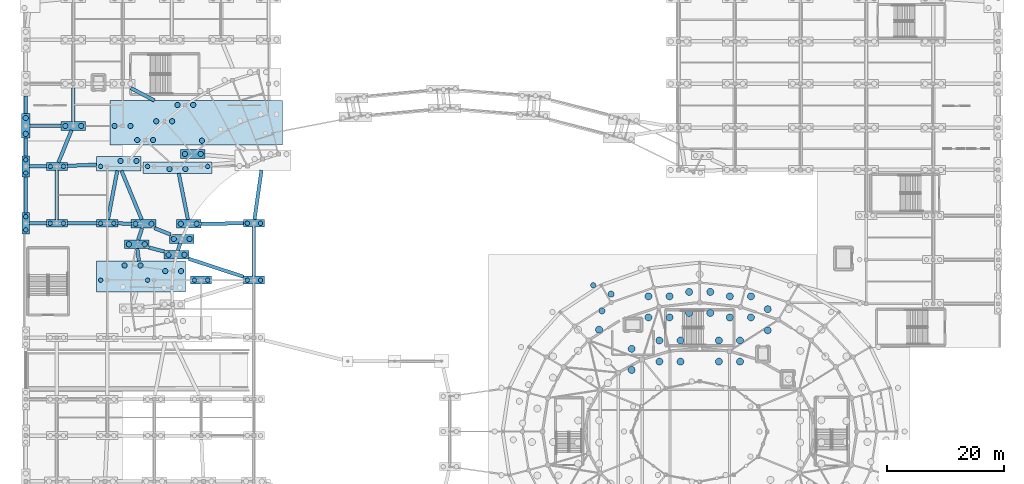
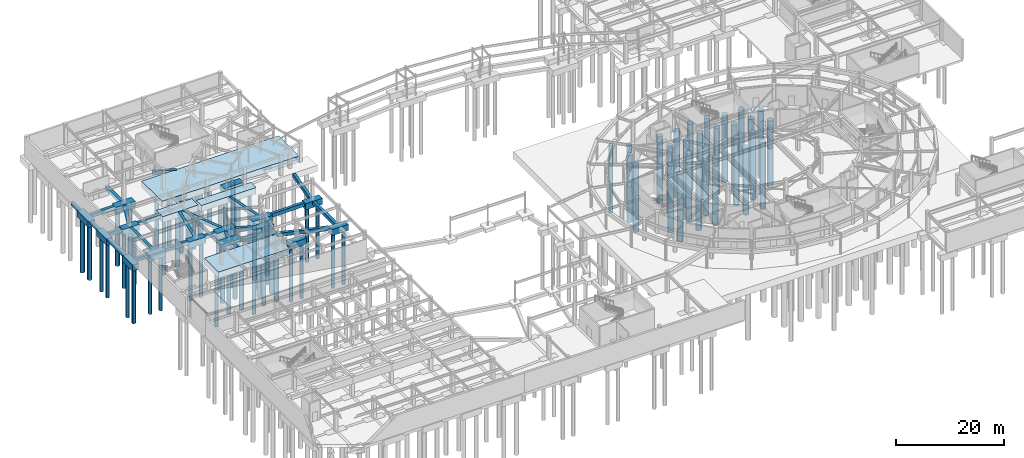
# One storey, part 4 of 68: 82 piles, 45 footings.
"""IFC4 building model written with IfcOpenShell, lengths in metres."""

from ifc_helpers import new_model, si_unit, direction, frame, origin, origin_2d, place, context, subcontext, project, spatial, rectangle, circle, extrude, material, layer, layer_set, material_profile, profile_set, type_object, element, save


model = new_model("IFC4")

# Units and contexts
model_context = context("Model", 3, precision=1e-05, world=origin(), true_north=direction((0.0, 1.0)))
body_context = subcontext(model_context, "Body", "Model", "MODEL_VIEW")
ifc_project = project(units=[si_unit("LENGTHUNIT", "METRE"), si_unit("AREAUNIT", "SQUARE_METRE"), si_unit("VOLUMEUNIT", "CUBIC_METRE"), si_unit("PLANEANGLEUNIT", "RADIAN"), si_unit("MASSUNIT", "GRAM", prefix="KILO")], contexts=[model_context])

# Site, building, storey
site_placement = place(None, origin())
site = spatial("IfcSite", under=ifc_project, at=site_placement, CompositionType="ELEMENT")
building_placement = place(site_placement, origin())
building = spatial("IfcBuilding", under=site, at=building_placement, Name="Cinderbank Siding Concert Hall", CompositionType="ELEMENT")
storey_placement = place(building_placement, frame((0.0, 0.0, -4.800048828125)))
storey = spatial("IfcBuildingStorey", under=building, at=storey_placement, Name="B1", CompositionType="ELEMENT", Elevation=-4.800048828125)

# Piles
ifc_material = material(Name="Reinforced concrete AS 3600 N40 (40 MPa)", Category="concrete")
ifc_material_profile_1 = material_profile(ifc_material, circle(Radius=0.52490234375, at=origin_2d()), Name="PILE-1050DIA", Category="LoadBearing")
ifc_profile_set_1 = profile_set([ifc_material_profile_1], Name="Reinforced concrete AS 3600 N40 (40 MPa)")
pile_type_1 = type_object("IfcPileType", Name="BP-1050 Bored Pile 1050mm", PredefinedType="BORED", material=ifc_profile_set_1)
for number, where, z_axis, x_axis, name in (
    (1, (105.324951171875, 64.5791015625, -1.5), (0.0, 0.0, -1.0), (1.0, 0.0, 0.0), "Bored Pile BP-1050 #78"),
    (2, (106.89990234375, 67.4150390625, -1.5), (0.0, 0.0, -1.0), (1.0, 0.0, 0.0), "Bored Pile BP-1050 #79"),
):
    element("IfcPile", number, at=place(storey_placement, frame(where, z_axis=z_axis, x_axis=x_axis)), inside=storey, type_object=pile_type_1, Name=name, PredefinedType="BORED", context=body_context, shape_type="SweptSolid", body=[
        extrude(circle(Radius=0.52490234375, at=origin_2d()), origin(), (0.0, 0.0, 1.0), 15.199951171875),
    ])
ifc_material_profile_2 = material_profile(ifc_material, circle(Radius=0.60009765625, at=origin_2d()), Name="PILE-1200DIA", Category="LoadBearing")
ifc_profile_set_2 = profile_set([ifc_material_profile_2], Name="Reinforced concrete AS 3600 N40 (40 MPa)")
pile_type_2 = type_object("IfcPileType", Name="BP-1200 Bored Pile 1200mm", PredefinedType="BORED", material=ifc_profile_set_2)
for number, where, z_axis, x_axis, name in (
    (3, (133.60009765625, 61.2529296875, -1.5), (0.0, 0.0, -1.0), (1.0, 0.0, 0.0), "Bored Pile BP-1200 #24"),
    (4, (133.60009765625, 64.85302734375, -1.5), (0.0, 0.0, -1.0), (1.0, 0.0, 0.0), "Bored Pile BP-1200 #25"),
    (5, (127.135986328125, 63.449951171875, -1.5), (0.0, 0.0, -1.0), (1.0, 0.0, 0.0), "Bored Pile BP-1200 #53"),
    (6, (130.736083984375, 63.449951171875, -1.5), (0.0, 0.0, -1.0), (1.0, 0.0, 0.0), "Bored Pile BP-1200 #54"),
    (7, (127.135986328125, 67.050048828125, -1.5), (0.0, 0.0, -1.0), (1.0, 0.0, 0.0), "Bored Pile BP-1200 #55"),
    (8, (130.736083984375, 67.050048828125, -1.5), (0.0, 0.0, -1.0), (1.0, 0.0, 0.0), "Bored Pile BP-1200 #56"),
    (9, (125.27294921875, 55.916015625, -1.5), (0.0, 0.0, -1.0), (1.0, 0.0, 0.0), "Bored Pile BP-1200 #57"),
    (10, (128.873046875, 55.916015625, -1.5), (0.0, 0.0, -1.0), (1.0, 0.0, 0.0), "Bored Pile BP-1200 #58"),
    (11, (125.27294921875, 59.51611328125, -1.5), (0.0, 0.0, -1.0), (1.0, 0.0, 0.0), "Bored Pile BP-1200 #59"),
    (12, (128.873046875, 59.51611328125, -1.5), (0.0, 0.0, -1.0), (1.0, 0.0, 0.0), "Bored Pile BP-1200 #60"),
    (13, (120.199951171875, 64.199951171875, -1.5), (0.0, 0.0, -1.0), (1.0, 0.0, 0.0), "Bored Pile BP-1200 #62"),
    (14, (123.800048828125, 64.199951171875, -1.5), (0.0, 0.0, -1.0), (1.0, 0.0, 0.0), "Bored Pile BP-1200 #63"),
    (15, (120.199951171875, 67.800048828125, -1.5), (0.0, 0.0, -1.0), (1.0, 0.0, 0.0), "Bored Pile BP-1200 #64"),
    (16, (123.800048828125, 67.800048828125, -1.5), (0.0, 0.0, -1.0), (1.0, 0.0, 0.0), "Bored Pile BP-1200 #65"),
    (17, (115.126953125, 55.916015625, -1.5), (0.0, 0.0, -1.0), (1.0, 0.0, 0.0), "Bored Pile BP-1200 #67"),
    (18, (118.72705078125, 55.916015625, -1.5), (0.0, 0.0, -1.0), (1.0, 0.0, 0.0), "Bored Pile BP-1200 #68"),
    (19, (115.126953125, 59.51611328125, -1.5), (0.0, 0.0, -1.0), (1.0, 0.0, 0.0), "Bored Pile BP-1200 #69"),
    (20, (118.72705078125, 59.51611328125, -1.5), (0.0, 0.0, -1.0), (1.0, 0.0, 0.0), "Bored Pile BP-1200 #70"),
    (21, (113.263916015625, 63.449951171875, -1.5), (0.0, 0.0, -1.0), (1.0, 0.0, 0.0), "Bored Pile BP-1200 #71"),
    (22, (116.864013671875, 63.449951171875, -1.5), (0.0, 0.0, -1.0), (1.0, 0.0, 0.0), "Bored Pile BP-1200 #72"),
    (23, (113.263916015625, 67.050048828125, -1.5), (0.0, 0.0, -1.0), (1.0, 0.0, 0.0), "Bored Pile BP-1200 #73"),
    (24, (116.864013671875, 67.050048828125, -1.5), (0.0, 0.0, -1.0), (1.0, 0.0, 0.0), "Bored Pile BP-1200 #74"),
    (25, (110.39990234375, 54.498046875, -1.5), (0.0, 0.0, -1.0), (1.0, 0.0, 0.0), "Bored Pile BP-1200 #76"),
    (26, (110.39990234375, 58.097900390625, -1.5), (0.0, 0.0, -1.0), (1.0, 0.0, 0.0), "Bored Pile BP-1200 #77"),
    (27, (104.84912109375, 61.35595703125, -1.5), (0.0, 0.0, -1.0), (1.0, 0.0, 0.0), "Bored Pile BP-1200 #85"),
):
    element("IfcPile", number, at=place(storey_placement, frame(where, z_axis=z_axis, x_axis=x_axis)), inside=storey, type_object=pile_type_2, Name=name, PredefinedType="BORED", context=body_context, shape_type="SweptSolid", body=[
        extrude(circle(Radius=0.60009765625, at=origin_2d()), origin(), (0.0, 0.0, 1.0), 15.199951171875),
    ])
ifc_material_profile_3 = material_profile(ifc_material, circle(Radius=0.375, at=origin_2d()), Name="PILE-750DIA", Category="LoadBearing")
ifc_profile_set_3 = profile_set([ifc_material_profile_3], Name="Reinforced concrete AS 3600 N40 (40 MPa)")
pile_type_3 = type_object("IfcPileType", Name="BP-750 Bored Pile 750mm", PredefinedType="BORED", material=ifc_profile_set_3)
for number, where, z_axis, x_axis, name in (
    (28, (27.875, 89.199951171875, -1.300048828125), (0.0, 0.0, -1.0), (1.0, 0.0, 0.0), "Bored Pile BP-750 #187"),
    (29, (38.125, 89.199951171875, -1.300048828125), (0.0, 0.0, -1.0), (1.0, 0.0, 0.0), "Bored Pile BP-750 #188"),
    (30, (19.875, 89.199951171875, -1.300048828125), (0.0, 0.0, -1.0), (1.0, 0.0, 0.0), "Bored Pile BP-750 #191"),
    (31, (27.875, 69.800048828125, -1.300048828125), (0.0, 0.0, -1.0), (1.0, 0.0, 0.0), "Bored Pile BP-750 #204"),
    (32, (19.875, 69.800048828125, -1.300048828125), (0.0, 0.0, -1.0), (1.0, 0.0, 0.0), "Bored Pile BP-750 #210"),
    (33, (7.10009765625, 78.375, -1.300048828125), (0.0, 0.0, -1.0), (1.0, 0.0, 0.0), "Bored Pile BP-750 #437"),
    (34, (7.10009765625, 80.625, -1.300048828125), (0.0, 0.0, -1.0), (1.0, 0.0, 0.0), "Bored Pile BP-750 #438"),
    (35, (7.10009765625, 88.074951171875, -1.300048828125), (0.0, 0.0, -1.0), (1.0, 0.0, 0.0), "Bored Pile BP-750 #439"),
    (36, (7.10009765625, 90.324951171875, -1.300048828125), (0.0, 0.0, -1.0), (1.0, 0.0, 0.0), "Bored Pile BP-750 #440"),
    (37, (11.27490234375, 79.5, -1.300048828125), (0.0, 0.0, -1.0), (1.0, 0.0, 0.0), "Bored Pile BP-750 #447"),
    (38, (13.52490234375, 79.5, -1.300048828125), (0.0, 0.0, -1.0), (1.0, 0.0, 0.0), "Bored Pile BP-750 #448"),
    (39, (11.27490234375, 89.199951171875, -1.300048828125), (0.0, 0.0, -1.0), (1.0, 0.0, 0.0), "Bored Pile BP-750 #449"),
    (40, (13.52490234375, 89.199951171875, -1.300048828125), (0.0, 0.0, -1.0), (1.0, 0.0, 0.0), "Bored Pile BP-750 #450"),
    (41, (19.875, 79.5, -1.300048828125), (0.0, 0.0, -1.0), (1.0, 0.0, 0.0), "Bored Pile BP-750 #457"),
    (42, (22.125, 79.5, -1.300048828125), (0.0, 0.0, -1.0), (1.0, 0.0, 0.0), "Bored Pile BP-750 #458"),
    (43, (35.875, 69.800048828125, -1.300048828125), (0.0, 0.0, -1.0), (1.0, 0.0, 0.0), "Bored Pile BP-750 #467"),
    (44, (38.125, 69.800048828125, -1.300048828125), (0.0, 0.0, -1.0), (1.0, 0.0, 0.0), "Bored Pile BP-750 #468"),
    (45, (44.875, 69.800048828125, -1.300048828125), (0.0, 0.0, -1.0), (1.0, 0.0, 0.0), "Bored Pile BP-750 #475"),
    (46, (47.125, 69.800048828125, -1.300048828125), (0.0, 0.0, -1.0), (1.0, 0.0, 0.0), "Bored Pile BP-750 #476"),
    (47, (44.875, 79.5, -1.300048828125), (0.0, 0.0, -1.0), (1.0, 0.0, 0.0), "Bored Pile BP-750 #477"),
    (48, (47.125, 79.5, -1.300048828125), (0.0, 0.0, -1.0), (1.0, 0.0, 0.0), "Bored Pile BP-750 #478"),
):
    element("IfcPile", number, at=place(storey_placement, frame(where, z_axis=z_axis, x_axis=x_axis)), inside=storey, type_object=pile_type_3, Name=name, PredefinedType="BORED", context=body_context, shape_type="SweptSolid", body=[
        extrude(circle(Radius=0.375, at=origin_2d()), origin(), (0.0, 0.0, 1.0), 12.39990234375),
    ])
ifc_material_profile_4 = material_profile(ifc_material, circle(Radius=0.449951171875, at=origin_2d()), Name="PILE-900DIA", Category="LoadBearing")
ifc_profile_set_4 = profile_set([ifc_material_profile_4], Name="Reinforced concrete AS 3600 N40 (40 MPa)")
pile_type_4 = type_object("IfcPileType", Name="BP-900 Bored Pile 900mm", PredefinedType="BORED", material=ifc_profile_set_4)
pile_placement = place(storey_placement, frame((103.85009765625, 68.94189453125, -1.5), z_axis=(0.0, 0.0, -1.0), x_axis=(1.0, 0.0, 0.0)))
element("IfcPile", 49, at=pile_placement, inside=storey, type_object=pile_type_4, Name="Bored Pile BP-900 #80", PredefinedType="BORED", context=body_context, shape_type="SweptSolid", body=[
    extrude(circle(Radius=0.449951171875, at=origin_2d()), origin(), (0.0, 0.0, 1.0), 15.199951171875),
])
for number, where, z_axis, x_axis, name in (
    (50, (37.135986328125, 93.5791015625, -1.300048828125), (0.0, 0.0, -1.0), (1.0, 0.0, 0.0), "Bored Pile BP-900 #169"),
    (51, (32.955078125, 99.68408203125, -1.300048828125), (0.0, 0.0, -1.0), (1.0, 0.0, 0.0), "Bored Pile BP-900 #170"),
    (52, (35.655029296875, 99.68408203125, -1.300048828125), (0.0, 0.0, -1.0), (1.0, 0.0, 0.0), "Bored Pile BP-900 #171"),
    (53, (29.35595703125, 96.89306640625, -1.300048828125), (0.0, 0.0, -1.0), (1.0, 0.0, 0.0), "Bored Pile BP-900 #172"),
    (54, (32.055908203125, 96.89306640625, -1.300048828125), (0.0, 0.0, -1.0), (1.0, 0.0, 0.0), "Bored Pile BP-900 #173"),
    (55, (26.113037109375, 93.695068359375, -1.300048828125), (0.0, 0.0, -1.0), (1.0, 0.0, 0.0), "Bored Pile BP-900 #174"),
    (56, (28.81298828125, 93.695068359375, -1.300048828125), (0.0, 0.0, -1.0), (1.0, 0.0, 0.0), "Bored Pile BP-900 #175"),
    (57, (22.25, 96.10009765625, -1.300048828125), (0.0, 0.0, -1.0), (1.0, 0.0, 0.0), "Bored Pile BP-900 #176"),
    (58, (24.949951171875, 96.10009765625, -1.300048828125), (0.0, 0.0, -1.0), (1.0, 0.0, 0.0), "Bored Pile BP-900 #177"),
    (59, (34.23095703125, 91.324951171875, -1.300048828125), (0.0, 0.0, -1.0), (1.0, 0.0, 0.0), "Bored Pile BP-900 #183"),
    (60, (36.930908203125, 91.324951171875, -1.300048828125), (0.0, 0.0, -1.0), (1.0, 0.0, 0.0), "Bored Pile BP-900 #184"),
    (61, (31.612060546875, 88.742919921875, -1.300048828125), (0.0, 0.0, -1.0), (1.0, 0.0, 0.0), "Bored Pile BP-900 #185"),
    (62, (34.31201171875, 88.742919921875, -1.300048828125), (0.0, 0.0, -1.0), (1.0, 0.0, 0.0), "Bored Pile BP-900 #186"),
    (63, (23.27197265625, 90.135009765625, -1.300048828125), (0.0, 0.0, -1.0), (1.0, 0.0, 0.0), "Bored Pile BP-900 #189"),
    (64, (25.971923828125, 90.135009765625, -1.300048828125), (0.0, 0.0, -1.0), (1.0, 0.0, 0.0), "Bored Pile BP-900 #190"),
    (65, (33.5380859375, 79.4150390625, -1.300048828125), (0.0, 0.0, -1.0), (1.0, 0.0, 0.0), "Bored Pile BP-900 #192"),
    (66, (36.238037109375, 79.4150390625, -1.300048828125), (0.0, 0.0, -1.0), (1.0, 0.0, 0.0), "Bored Pile BP-900 #193"),
    (67, (32.3349609375, 76.8349609375, -1.300048828125), (0.0, 0.0, -1.0), (1.0, 0.0, 0.0), "Bored Pile BP-900 #194"),
    (68, (35.034912109375, 76.8349609375, -1.300048828125), (0.0, 0.0, -1.0), (1.0, 0.0, 0.0), "Bored Pile BP-900 #195"),
    (69, (25.826904296875, 79.412109375, -1.300048828125), (0.0, 0.0, -1.0), (1.0, 0.0, 0.0), "Bored Pile BP-900 #196"),
    (70, (28.527099609375, 79.412109375, -1.300048828125), (0.0, 0.0, -1.0), (1.0, 0.0, 0.0), "Bored Pile BP-900 #197"),
    (71, (31.446044921875, 74.131103515625, -1.300048828125), (0.0, 0.0, -1.0), (1.0, 0.0, 0.0), "Bored Pile BP-900 #198"),
    (72, (34.14599609375, 74.131103515625, -1.300048828125), (0.0, 0.0, -1.0), (1.0, 0.0, 0.0), "Bored Pile BP-900 #199"),
    (73, (24.678955078125, 75.9189453125, -1.300048828125), (0.0, 0.0, -1.0), (1.0, 0.0, 0.0), "Bored Pile BP-900 #200"),
    (74, (27.37890625, 75.9189453125, -1.300048828125), (0.0, 0.0, -1.0), (1.0, 0.0, 0.0), "Bored Pile BP-900 #201"),
    (75, (30.884033203125, 71.340087890625, -1.300048828125), (0.0, 0.0, -1.0), (1.0, 0.0, 0.0), "Bored Pile BP-900 #202"),
    (76, (33.583984375, 71.340087890625, -1.300048828125), (0.0, 0.0, -1.0), (1.0, 0.0, 0.0), "Bored Pile BP-900 #203"),
    (77, (23.951904296875, 72.31396484375, -1.300048828125), (0.0, 0.0, -1.0), (1.0, 0.0, 0.0), "Bored Pile BP-900 #205"),
    (78, (26.652099609375, 72.31396484375, -1.300048828125), (0.0, 0.0, -1.0), (1.0, 0.0, 0.0), "Bored Pile BP-900 #206"),
    (79, (7.10009765625, 94.75, -1.300048828125), (0.0, 0.0, -1.0), (1.0, 0.0, 0.0), "Bored Pile BP-900 #343"),
    (80, (7.10009765625, 97.449951171875, -1.300048828125), (0.0, 0.0, -1.0), (1.0, 0.0, 0.0), "Bored Pile BP-900 #344"),
    (81, (13.85009765625, 96.10009765625, -1.300048828125), (0.0, 0.0, -1.0), (1.0, 0.0, 0.0), "Bored Pile BP-900 #351"),
    (82, (16.550048828125, 96.10009765625, -1.300048828125), (0.0, 0.0, -1.0), (1.0, 0.0, 0.0), "Bored Pile BP-900 #352"),
):
    element("IfcPile", number, at=place(storey_placement, frame(where, z_axis=z_axis, x_axis=x_axis)), inside=storey, type_object=pile_type_4, Name=name, PredefinedType="BORED", context=body_context, shape_type="SweptSolid", body=[
        extrude(circle(Radius=0.449951171875, at=origin_2d()), origin(), (0.0, 0.0, 1.0), 12.39990234375),
    ])

# Footings
ifc_material_profile_5 = material_profile(ifc_material, rectangle(XDim=0.60009765625, YDim=0.800048828125, at=origin_2d()), Name="RC-FB-600x800", Category="LoadBearing")
ifc_profile_set_5 = profile_set([ifc_material_profile_5], Name="Reinforced concrete AS 3600 N40 (40 MPa)")
footing_type_1 = type_object("IfcFootingType", Name="FB-01 Tie Beam 600x800", PredefinedType="FOOTING_BEAM", material=ifc_profile_set_5)
footing_1_placement = place(storey_placement, frame((36.972900390625, 79.430908203125, -0.39990234375), z_axis=(0.999970721878, 0.0076521492, 0.0), x_axis=(-0.0076521492, 0.999970721878, 0.0)))
element("IfcFooting", 83, at=footing_1_placement, inside=storey, type_object=footing_type_1, Name="Foundation Tie Beam #5", PredefinedType="FOOTING_BEAM", context=body_context, shape_type="SweptSolid", body=[
    extrude(rectangle(XDim=0.60009765625, YDim=0.800048828125, at=origin_2d()), origin(), (0.0, 0.0, 1.0), 7.242431640625),
])
footing_2_placement = place(storey_placement, frame((34.74267578125, 80.150390625, -0.39990234375), z_axis=(-0.193805976521, 0.981039878631, 0.0), x_axis=(-0.981039878631, -0.193805976521, 0.0)))
element("IfcFooting", 84, at=footing_2_placement, inside=storey, type_object=footing_type_1, Name="Foundation Tie Beam #6", PredefinedType="FOOTING_BEAM", context=body_context, shape_type="SweptSolid", body=[
    extrude(rectangle(XDim=0.60009765625, YDim=0.800048828125, at=origin_2d()), origin(), (0.0, 0.0, 1.0), 8.00927734375),
])
footing_3_placement = place(storey_placement, frame((29.05712890625, 78.66748046875, -0.39990234375), z_axis=(0.929781285247, -0.368112430658, 0.0), x_axis=(0.368112430658, 0.929781285247, 0.0)))
element("IfcFooting", 85, at=footing_3_placement, inside=storey, type_object=footing_type_1, Name="Foundation Tie Beam #7", PredefinedType="FOOTING_BEAM", context=body_context, shape_type="SweptSolid", body=[
    extrude(rectangle(XDim=0.60009765625, YDim=0.800048828125, at=origin_2d()), origin(), (0.0, 0.0, 1.0), 2.955322265625),
])
footing_4_placement = place(storey_placement, frame((26.87158203125, 80.148193359375, -0.39990234375), z_axis=(-0.383110969798, 0.923702324789, 0.0), x_axis=(-0.923702324789, -0.383110969798, 0.0)))
element("IfcFooting", 86, at=footing_4_placement, inside=storey, type_object=footing_type_1, Name="Foundation Tie Beam #8", PredefinedType="FOOTING_BEAM", context=body_context, shape_type="SweptSolid", body=[
    extrude(rectangle(XDim=0.60009765625, YDim=0.800048828125, at=origin_2d()), origin(), (0.0, 0.0, 1.0), 9.00244140625),
])
footing_5_placement = place(storey_placement, frame((34.881591796875, 73.447021484375, -0.39990234375), z_axis=(0.950188638119, -0.311675395228, 0.0), x_axis=(0.311675395228, 0.950188638119, 0.0)))
element("IfcFooting", 87, at=footing_5_placement, inside=storey, type_object=footing_type_1, Name="Foundation Tie Beam #9", PredefinedType="FOOTING_BEAM", context=body_context, shape_type="SweptSolid", body=[
    extrude(rectangle(XDim=0.60009765625, YDim=0.800048828125, at=origin_2d()), origin(), (0.0, 0.0, 1.0), 9.822021484375),
])
footing_6_placement = place(storey_placement, frame((33.037841796875, 74.86669921875, -0.39990234375), z_axis=(0.312386213758, 0.949955184971, 0.0), x_axis=(-0.949955184971, 0.312386213758, 0.0)))
element("IfcFooting", 88, at=footing_6_placement, inside=storey, type_object=footing_type_1, Name="Foundation Tie Beam #10", PredefinedType="FOOTING_BEAM", context=body_context, shape_type="SweptSolid", body=[
    extrude(rectangle(XDim=0.60009765625, YDim=0.800048828125, at=origin_2d()), origin(), (0.0, 0.0, 1.0), 1.29736328125),
])
footing_7_placement = place(storey_placement, frame((28.114501953125, 75.367919921875, -0.39990234375), z_axis=(0.966809010391, -0.25550017109, 0.0), x_axis=(0.25550017109, 0.966809010391, 0.0)))
element("IfcFooting", 89, at=footing_7_placement, inside=storey, type_object=footing_type_1, Name="Foundation Tie Beam #11", PredefinedType="FOOTING_BEAM", context=body_context, shape_type="SweptSolid", body=[
    extrude(rectangle(XDim=0.60009765625, YDim=0.800048828125, at=origin_2d()), origin(), (0.0, 0.0, 1.0), 2.68505859375),
])
footing_8_placement = place(storey_placement, frame((26.270751953125, 76.65478515625, -0.39990234375), z_axis=(0.31230121774, 0.949983131112, 0.0), x_axis=(-0.949983131112, 0.31230121774, 0.0)))
element("IfcFooting", 90, at=footing_8_placement, inside=storey, type_object=footing_type_1, Name="Foundation Tie Beam #12", PredefinedType="FOOTING_BEAM", context=body_context, shape_type="SweptSolid", body=[
    extrude(rectangle(XDim=0.60009765625, YDim=0.800048828125, at=origin_2d()), origin(), (0.0, 0.0, 1.0), 2.1279296875),
])
footing_9_placement = place(storey_placement, frame((26.393798828125, 73.049072265625, -0.39990234375), z_axis=(-0.126156846059, 0.992010307503, 0.0), x_axis=(-0.992010307503, -0.126156846059, 0.0)))
element("IfcFooting", 91, at=footing_9_placement, inside=storey, type_object=footing_type_1, Name="Foundation Tie Beam #13", PredefinedType="FOOTING_BEAM", context=body_context, shape_type="SweptSolid", body=[
    extrude(rectangle(XDim=0.60009765625, YDim=0.800048828125, at=origin_2d()), origin(), (0.0, 0.0, 1.0), 2.15185546875),
])
footing_10_placement = place(storey_placement, frame((7.8349609375, 96.10009765625, -0.39990234375), z_axis=(1.0, 0.0, 0.0), x_axis=(0.0, 1.0, 0.0)))
element("IfcFooting", 92, at=footing_10_placement, inside=storey, type_object=footing_type_1, Name="Foundation Tie Beam #127", PredefinedType="FOOTING_BEAM", context=body_context, shape_type="SweptSolid", body=[
    extrude(rectangle(XDim=0.60009765625, YDim=0.800048828125, at=origin_2d()), origin(), (0.0, 0.0, 1.0), 5.280029296875),
])
footing_11_placement = place(storey_placement, frame((7.10009765625, 98.18505859375, -0.39990234375), z_axis=(0.0, 1.0, 0.0), x_axis=(-1.0, 0.0, 0.0)))
element("IfcFooting", 93, at=footing_11_placement, inside=storey, type_object=footing_type_1, Name="Foundation Tie Beam #128", PredefinedType="FOOTING_BEAM", context=body_context, shape_type="SweptSolid", body=[
    extrude(rectangle(XDim=0.60009765625, YDim=0.800048828125, at=origin_2d()), origin(), (0.0, 0.0, 1.0), 3.030029296875),
])
footing_12_placement = place(storey_placement, frame((15.199951171875, 96.8349609375, -0.39990234375), z_axis=(0.0, 1.0, 0.0), x_axis=(-1.0, 0.0, 0.0)))
element("IfcFooting", 94, at=footing_12_placement, inside=storey, type_object=footing_type_1, Name="Foundation Tie Beam #134", PredefinedType="FOOTING_BEAM", context=body_context, shape_type="SweptSolid", body=[
    extrude(rectangle(XDim=0.60009765625, YDim=0.800048828125, at=origin_2d()), origin(), (0.0, 0.0, 1.0), 5.72998046875),
])
footing_13_placement = place(storey_placement, frame((25.004638671875, 102.556884765625, -0.39990234375), z_axis=(0.883979465379, -0.467525726339, 0.0), x_axis=(0.467525726339, 0.883979465379, 0.0)))
element("IfcFooting", 95, at=footing_13_placement, inside=storey, type_object=footing_type_1, Name="Foundation Tie Beam #140", PredefinedType="FOOTING_BEAM", context=body_context, shape_type="SweptSolid", body=[
    extrude(rectangle(XDim=0.60009765625, YDim=0.800048828125, at=origin_2d()), origin(), (0.0, 0.0, 1.0), 4.5556640625),
])
footing_14_placement = place(storey_placement, frame((7.760009765625, 79.5, -0.39990234375), z_axis=(1.0, 0.0, 0.0), x_axis=(0.0, 1.0, 0.0)))
element("IfcFooting", 96, at=footing_14_placement, inside=storey, type_object=footing_type_1, Name="Foundation Tie Beam #195", PredefinedType="FOOTING_BEAM", context=body_context, shape_type="SweptSolid", body=[
    extrude(rectangle(XDim=0.60009765625, YDim=0.800048828125, at=origin_2d()), origin(), (0.0, 0.0, 1.0), 2.85498046875),
])
footing_15_placement = place(storey_placement, frame((7.10009765625, 81.284912109375, -0.39990234375), z_axis=(0.0, 1.0, 0.0), x_axis=(-1.0, 0.0, 0.0)))
element("IfcFooting", 97, at=footing_15_placement, inside=storey, type_object=footing_type_1, Name="Foundation Tie Beam #196", PredefinedType="FOOTING_BEAM", context=body_context, shape_type="SweptSolid", body=[
    extrude(rectangle(XDim=0.60009765625, YDim=0.800048828125, at=origin_2d()), origin(), (0.0, 0.0, 1.0), 6.130126953125),
])
footing_16_placement = place(storey_placement, frame((7.760009765625, 89.199951171875, -0.39990234375), z_axis=(1.0, 0.0, 0.0), x_axis=(0.0, 1.0, 0.0)))
element("IfcFooting", 98, at=footing_16_placement, inside=storey, type_object=footing_type_1, Name="Foundation Tie Beam #197", PredefinedType="FOOTING_BEAM", context=body_context, shape_type="SweptSolid", body=[
    extrude(rectangle(XDim=0.60009765625, YDim=0.800048828125, at=origin_2d()), origin(), (0.0, 0.0, 1.0), 2.85498046875),
])
footing_17_placement = place(storey_placement, frame((7.10009765625, 90.985107421875, -0.39990234375), z_axis=(0.0, 1.0, 0.0), x_axis=(-1.0, 0.0, 0.0)))
element("IfcFooting", 99, at=footing_17_placement, inside=storey, type_object=footing_type_1, Name="Foundation Tie Beam #198", PredefinedType="FOOTING_BEAM", context=body_context, shape_type="SweptSolid", body=[
    extrude(rectangle(XDim=0.60009765625, YDim=0.800048828125, at=origin_2d()), origin(), (0.0, 0.0, 1.0), 3.02978515625),
])
footing_18_placement = place(storey_placement, frame((14.18505859375, 79.5, -0.39990234375), z_axis=(1.0, 0.0, 0.0), x_axis=(0.0, 1.0, 0.0)))
element("IfcFooting", 100, at=footing_18_placement, inside=storey, type_object=footing_type_1, Name="Foundation Tie Beam #204", PredefinedType="FOOTING_BEAM", context=body_context, shape_type="SweptSolid", body=[
    extrude(rectangle(XDim=0.60009765625, YDim=0.800048828125, at=origin_2d()), origin(), (0.0, 0.0, 1.0), 5.030029296875),
])
footing_19_placement = place(storey_placement, frame((12.39990234375, 80.159912109375, -0.39990234375), z_axis=(0.0, 1.0, 0.0), x_axis=(-1.0, 0.0, 0.0)))
element("IfcFooting", 101, at=footing_19_placement, inside=storey, type_object=footing_type_1, Name="Foundation Tie Beam #205", PredefinedType="FOOTING_BEAM", context=body_context, shape_type="SweptSolid", body=[
    extrude(rectangle(XDim=0.60009765625, YDim=0.800048828125, at=origin_2d()), origin(), (0.0, 0.0, 1.0), 8.380126953125),
])
footing_20_placement = place(storey_placement, frame((14.18505859375, 89.279296875, -0.39990234375), z_axis=(0.999013806466, 0.044400613621, 0.0), x_axis=(-0.044400613621, 0.999013806466, 0.0)))
element("IfcFooting", 102, at=footing_20_placement, inside=storey, type_object=footing_type_1, Name="Foundation Tie Beam #206", PredefinedType="FOOTING_BEAM", context=body_context, shape_type="SweptSolid", body=[
    extrude(rectangle(XDim=0.60009765625, YDim=0.800048828125, at=origin_2d()), origin(), (0.0, 0.0, 1.0), 4.959716796875),
])
footing_21_placement = place(storey_placement, frame((12.668212890625, 89.861083984375, -0.39990234375), z_axis=(0.376028571688, 0.926608068859, 0.0), x_axis=(-0.926608068859, 0.376028571688, 0.0)))
element("IfcFooting", 103, at=footing_21_placement, inside=storey, type_object=footing_type_1, Name="Foundation Tie Beam #207", PredefinedType="FOOTING_BEAM", context=body_context, shape_type="SweptSolid", body=[
    extrude(rectangle(XDim=0.60009765625, YDim=0.800048828125, at=origin_2d()), origin(), (0.0, 0.0, 1.0), 5.938720703125),
])
footing_22_placement = place(storey_placement, frame((22.784912109375, 79.474609375, -0.39990234375), z_axis=(0.9998979748, -0.014284256783, 0.0), x_axis=(0.014284256783, 0.9998979748, 0.0)))
element("IfcFooting", 104, at=footing_22_placement, inside=storey, type_object=footing_type_1, Name="Foundation Tie Beam #212", PredefinedType="FOOTING_BEAM", context=body_context, shape_type="SweptSolid", body=[
    extrude(rectangle(XDim=0.60009765625, YDim=0.800048828125, at=origin_2d()), origin(), (0.0, 0.0, 1.0), 2.307373046875),
])
footing_23_placement = place(storey_placement, frame((21.125, 80.160400390625, -0.39990234375), z_axis=(0.185889406832, 0.982570673503, 0.0), x_axis=(-0.982570673503, 0.185889406832, 0.0)))
element("IfcFooting", 105, at=footing_23_placement, inside=storey, type_object=footing_type_1, Name="Foundation Tie Beam #213", PredefinedType="FOOTING_BEAM", context=body_context, shape_type="SweptSolid", body=[
    extrude(rectangle(XDim=0.60009765625, YDim=0.800048828125, at=origin_2d()), origin(), (0.0, 0.0, 1.0), 8.451416015625),
])
footing_24_placement = place(storey_placement, frame((46.0, 70.4599609375, -0.39990234375), z_axis=(0.0, 1.0, 0.0), x_axis=(-1.0, 0.0, 0.0)))
element("IfcFooting", 106, at=footing_24_placement, inside=storey, type_object=footing_type_1, Name="Foundation Tie Beam #226", PredefinedType="FOOTING_BEAM", context=body_context, shape_type="SweptSolid", body=[
    extrude(rectangle(XDim=0.60009765625, YDim=0.800048828125, at=origin_2d()), origin(), (0.0, 0.0, 1.0), 8.380126953125),
])
footing_25_placement = place(storey_placement, frame((46.09423828125, 80.16015625, -0.39990234375), z_axis=(0.14123142868, 0.989976607579, 0.0), x_axis=(-0.989976607579, 0.14123142868, 0.0)))
element("IfcFooting", 107, at=footing_25_placement, inside=storey, type_object=footing_type_1, Name="Foundation Tie Beam #227", PredefinedType="FOOTING_BEAM", context=body_context, shape_type="SweptSolid", body=[
    extrude(rectangle(XDim=0.60009765625, YDim=0.800048828125, at=origin_2d()), origin(), (0.0, 0.0, 1.0), 8.458251953125),
])
ifc_layer_1 = layer(ifc_material, 1.39990234375)
ifc_layer_set_1 = layer_set([ifc_layer_1], Name="Reinforced concrete AS 3600 N40 (40 MPa)")
footing_type_2 = type_object("IfcFootingType", Name="PC-03 Pile Cap 29415x7605x1400", PredefinedType="PILE_CAP", material=ifc_layer_set_1)
footing_26_placement = place(storey_placement, frame((36.20751953125, 96.631591796875, -1.39990234375), z_axis=(0.0, 0.0, 1.0), x_axis=(1.0, 0.0, 0.0)))
element("IfcFooting", 108, at=footing_26_placement, inside=storey, type_object=footing_type_2, Name="Pile Cap PC-03 #3", PredefinedType="PILE_CAP", context=body_context, shape_type="SweptSolid", body=[
    extrude(rectangle(XDim=29.4150390625, YDim=7.60498046875, at=origin_2d()), origin(), (0.0, 0.0, 1.0), 1.39990234375),
])
ifc_layer_2 = layer(ifc_material, 1.39990234375)
ifc_layer_set_2 = layer_set([ifc_layer_2], Name="Reinforced concrete AS 3600 N40 (40 MPa)")
footing_type_3 = type_object("IfcFootingType", Name="PC-05 Pile Cap 4200x1500x1400", PredefinedType="PILE_CAP", material=ifc_layer_set_2)
for number, where, z_axis, x_axis, name in (
    (109, (35.5810546875, 91.324951171875, -1.39990234375), (0.0, 0.0, 1.0), (1.0, 0.0, 0.0), "Pile Cap PC-05 #5"),
    (110, (34.887939453125, 79.4150390625, -1.39990234375), (0.0, 0.0, 1.0), (1.0, 0.0, 0.0), "Pile Cap PC-05 #8"),
    (111, (33.68505859375, 76.8349609375, -1.39990234375), (0.0, 0.0, 1.0), (1.0, 0.0, 0.0), "Pile Cap PC-05 #9"),
    (112, (27.177001953125, 79.412109375, -1.39990234375), (0.0, 0.0, 1.0), (1.0, 0.0, 0.0), "Pile Cap PC-05 #10"),
    (113, (32.7958984375, 74.131103515625, -1.39990234375), (0.0, 0.0, 1.0), (1.0, 0.0, 0.0), "Pile Cap PC-05 #11"),
    (114, (26.029052734375, 75.9189453125, -1.39990234375), (0.0, 0.0, 1.0), (1.0, 0.0, 0.0), "Pile Cap PC-05 #12"),
    (115, (15.199951171875, 96.10009765625, -1.39990234375), (0.0, 0.0, 1.0), (1.0, 0.0, 0.0), "Pile Cap PC-05 #81"),
):
    element("IfcFooting", number, at=place(storey_placement, frame(where, z_axis=z_axis, x_axis=x_axis)), inside=storey, type_object=footing_type_3, Name=name, PredefinedType="PILE_CAP", context=body_context, shape_type="SweptSolid", body=[
        extrude(rectangle(XDim=4.199951171875, YDim=1.5, at=origin_2d()), origin(), (0.0, 0.0, 1.0), 1.39990234375),
    ])
ifc_layer_3 = layer(ifc_material, 1.39990234375)
ifc_layer_set_3 = layer_set([ifc_layer_3], Name="Reinforced concrete AS 3600 N40 (40 MPa)")
footing_type_4 = type_object("IfcFootingType", Name="PC-06 Pile Cap 11750x1957x1400", PredefinedType="PILE_CAP", material=ifc_layer_set_3)
footing_27_placement = place(storey_placement, frame((33.0, 88.971435546875, -1.39990234375), z_axis=(0.0, 0.0, 1.0), x_axis=(1.0, 0.0, 0.0)))
element("IfcFooting", 116, at=footing_27_placement, inside=storey, type_object=footing_type_4, Name="Pile Cap PC-06 #6", PredefinedType="PILE_CAP", context=body_context, shape_type="SweptSolid", body=[
    extrude(rectangle(XDim=11.75, YDim=1.95703125, at=origin_2d()), origin(), (0.0, 0.0, 1.0), 1.39990234375),
])
ifc_layer_4 = layer(ifc_material, 1.39990234375)
ifc_layer_set_4 = layer_set([ifc_layer_4], Name="Reinforced concrete AS 3600 N40 (40 MPa)")
footing_type_5 = type_object("IfcFootingType", Name="PC-07 Pile Cap 7597x2435x1400", PredefinedType="PILE_CAP", material=ifc_layer_set_4)
footing_28_placement = place(storey_placement, frame((22.923583984375, 89.66748046875, -1.39990234375), z_axis=(0.0, 0.0, 1.0), x_axis=(1.0, 0.0, 0.0)))
element("IfcFooting", 117, at=footing_28_placement, inside=storey, type_object=footing_type_5, Name="Pile Cap PC-07 #7", PredefinedType="PILE_CAP", context=body_context, shape_type="SweptSolid", body=[
    extrude(rectangle(XDim=7.596923828125, YDim=2.43505859375, at=origin_2d()), origin(), (0.0, 0.0, 1.0), 1.39990234375),
])
ifc_layer_5 = layer(ifc_material, 1.39990234375)
ifc_layer_set_5 = layer_set([ifc_layer_5], Name="Reinforced concrete AS 3600 N40 (40 MPa)")
footing_type_6 = type_object("IfcFootingType", Name="PC-08 Pile Cap 15209x5311x1400", PredefinedType="PILE_CAP", material=ifc_layer_set_5)
footing_29_placement = place(storey_placement, frame((26.7294921875, 70.408447265625, -1.39990234375), z_axis=(0.0, 0.0, 1.0), x_axis=(1.0, 0.0, 0.0)))
element("IfcFooting", 118, at=footing_29_placement, inside=storey, type_object=footing_type_6, Name="Pile Cap PC-08 #13", PredefinedType="PILE_CAP", context=body_context, shape_type="SweptSolid", body=[
    extrude(rectangle(XDim=15.208984375, YDim=5.31103515625, at=origin_2d()), origin(), (0.0, 0.0, 1.0), 1.39990234375),
])
ifc_layer_6 = layer(ifc_material, 1.39990234375)
ifc_layer_set_6 = layer_set([ifc_layer_6], Name="Reinforced concrete AS 3600 N40 (40 MPa)")
footing_type_7 = type_object("IfcFootingType", Name="PC-11 Pile Cap 1500x4200x1400", PredefinedType="PILE_CAP", material=ifc_layer_set_6)
footing_30_placement = place(storey_placement, frame((7.10009765625, 96.10009765625, -1.39990234375), z_axis=(0.0, 0.0, 1.0), x_axis=(1.0, 0.0, 0.0)))
element("IfcFooting", 119, at=footing_30_placement, inside=storey, type_object=footing_type_7, Name="Pile Cap PC-11 #77", PredefinedType="PILE_CAP", context=body_context, shape_type="SweptSolid", body=[
    extrude(rectangle(XDim=1.5, YDim=4.199951171875, at=origin_2d()), origin(), (0.0, 0.0, 1.0), 1.39990234375),
])
ifc_layer_7 = layer(ifc_material, 1.39990234375)
ifc_layer_set_7 = layer_set([ifc_layer_7], Name="Reinforced concrete AS 3600 N40 (40 MPa)")
footing_type_8 = type_object("IfcFootingType", Name="PC-13 Pile Cap 3600x1350x1400", PredefinedType="PILE_CAP", material=ifc_layer_set_7)
for number, where, z_axis, x_axis, name in (
    (120, (12.39990234375, 79.5, -1.39990234375), (0.0, 0.0, 1.0), (1.0, 0.0, 0.0), "Pile Cap PC-13 #129"),
    (121, (12.39990234375, 89.199951171875, -1.39990234375), (0.0, 0.0, 1.0), (1.0, 0.0, 0.0), "Pile Cap PC-13 #130"),
    (122, (21.0, 79.5, -1.39990234375), (0.0, 0.0, 1.0), (1.0, 0.0, 0.0), "Pile Cap PC-13 #134"),
    (123, (37.0, 69.800048828125, -1.39990234375), (0.0, 0.0, 1.0), (1.0, 0.0, 0.0), "Pile Cap PC-13 #139"),
    (124, (46.0, 69.800048828125, -1.39990234375), (0.0, 0.0, 1.0), (1.0, 0.0, 0.0), "Pile Cap PC-13 #143"),
    (125, (46.0, 79.5, -1.39990234375), (0.0, 0.0, 1.0), (1.0, 0.0, 0.0), "Pile Cap PC-13 #144"),
):
    element("IfcFooting", number, at=place(storey_placement, frame(where, z_axis=z_axis, x_axis=x_axis)), inside=storey, type_object=footing_type_8, Name=name, PredefinedType="PILE_CAP", context=body_context, shape_type="SweptSolid", body=[
        extrude(rectangle(XDim=3.60009765625, YDim=1.35009765625, at=origin_2d()), origin(), (0.0, 0.0, 1.0), 1.39990234375),
    ])
ifc_layer_8 = layer(ifc_material, 1.39990234375)
ifc_layer_set_8 = layer_set([ifc_layer_8], Name="Reinforced concrete AS 3600 N40 (40 MPa)")
footing_type_9 = type_object("IfcFootingType", Name="PC-15 Pile Cap 1350x3600x1400", PredefinedType="PILE_CAP", material=ifc_layer_set_8)
for number, where, z_axis, x_axis, name in (
    (126, (7.10009765625, 79.5, -1.39990234375), (0.0, 0.0, 1.0), (1.0, 0.0, 0.0), "Pile Cap PC-15 #124"),
    (127, (7.10009765625, 89.199951171875, -1.39990234375), (0.0, 0.0, 1.0), (1.0, 0.0, 0.0), "Pile Cap PC-15 #125"),
):
    element("IfcFooting", number, at=place(storey_placement, frame(where, z_axis=z_axis, x_axis=x_axis)), inside=storey, type_object=footing_type_9, Name=name, PredefinedType="PILE_CAP", context=body_context, shape_type="SweptSolid", body=[
        extrude(rectangle(XDim=1.35009765625, YDim=3.60009765625, at=origin_2d()), origin(), (0.0, 0.0, 1.0), 1.39990234375),
    ])

save(model, "model.ifc")
